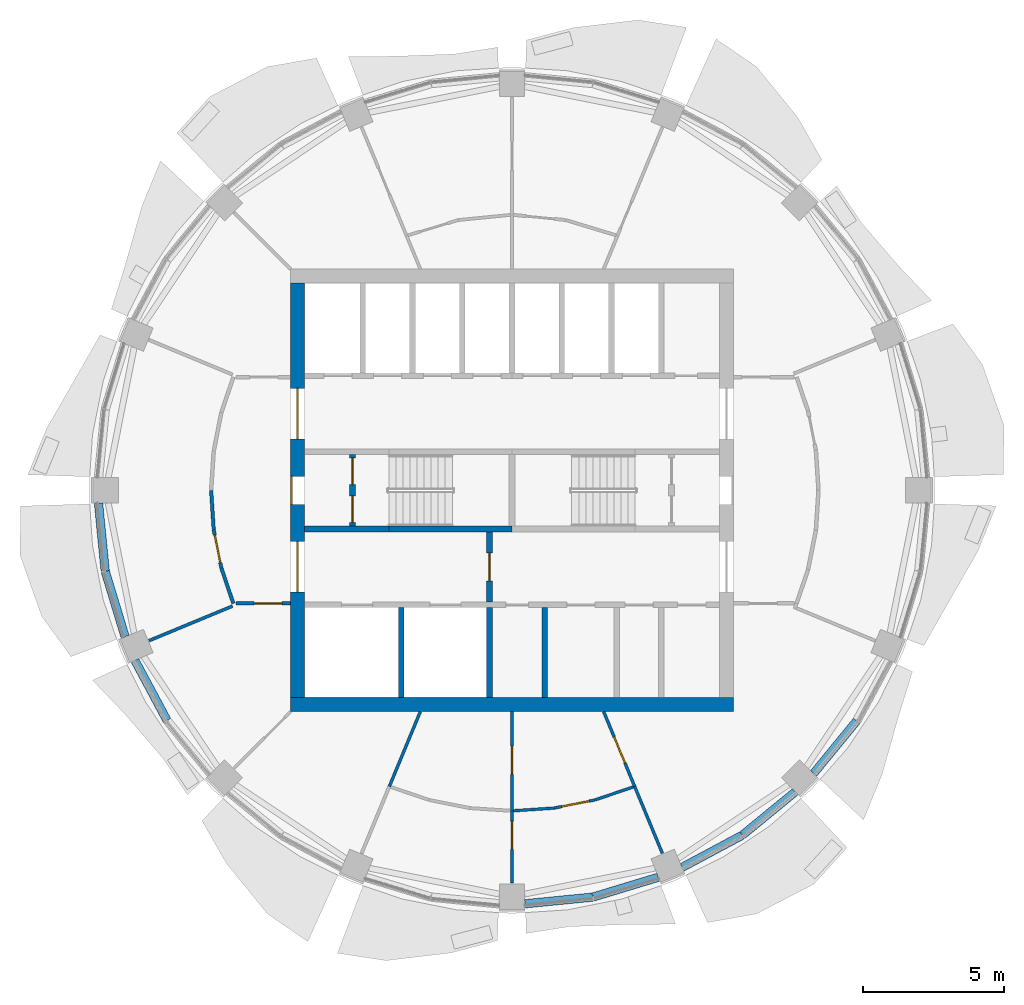
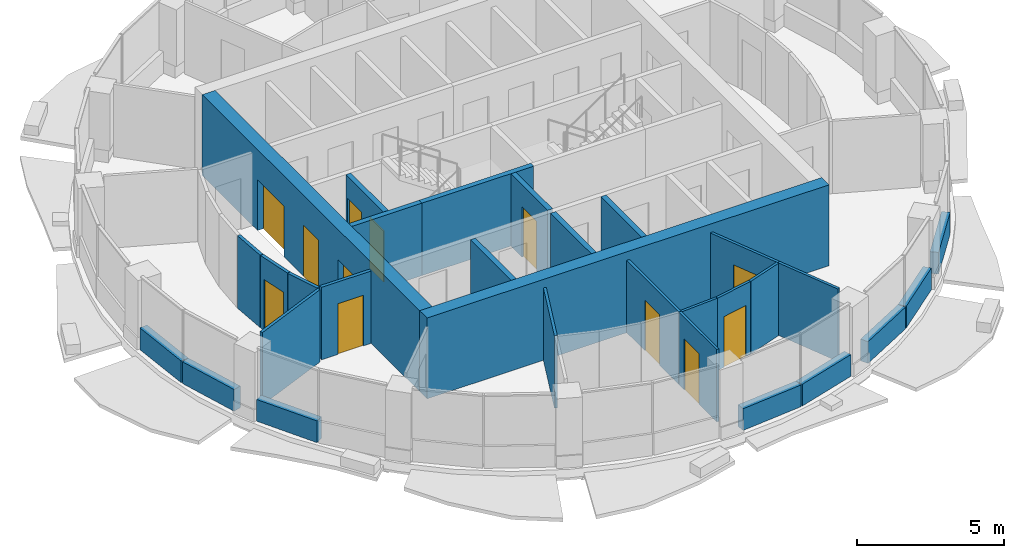
# One storey, part 7 of 14: 30 walls, 12 doors, 12 openings.
"""IFC4 building model written with IfcOpenShell, lengths in metres."""

from ifc_helpers import new_model, si_unit, direction, frame, frame_2d, origin, place, context, subcontext, project, spatial, rectangle, extrude, material, layer, layer_set, type_object, element, fill, save


model = new_model("IFC4")

# Units and contexts
model_context = context("Model", 3, precision=1e-05, world=origin(), true_north=direction((0.0, 1.0)))
body_context = subcontext(model_context, "Body", "Model", "MODEL_VIEW")
ifc_project = project(units=[si_unit("LENGTHUNIT", "METRE"), si_unit("AREAUNIT", "SQUARE_METRE"), si_unit("VOLUMEUNIT", "CUBIC_METRE"), si_unit("PLANEANGLEUNIT", "RADIAN"), si_unit("MASSUNIT", "GRAM", prefix="KILO")], contexts=[model_context])

# Site, building, storey
site_placement = place(None, origin())
site = spatial("IfcSite", under=ifc_project, at=site_placement, CompositionType="ELEMENT")
building_placement = place(site_placement, origin())
building = spatial("IfcBuilding", under=site, at=building_placement, Name="Polderwave Tower", CompositionType="ELEMENT")
storey_placement = place(building_placement, frame((0.0, 0.0, 227.85009765625)))
storey = spatial("IfcBuildingStorey", under=building, at=storey_placement, Name="L62", CompositionType="ELEMENT", Elevation=227.85009765625)

# Wall
ifc_material_1 = material(Name="Concrete C60/75", Category="concrete")
ifc_layer_1 = layer(ifc_material_1, 0.5)
ifc_layer_set_1 = layer_set([ifc_layer_1], Name="CORE WALL 500 C60/75")
wall_type_1 = type_object("IfcWallType", Name="CORE WALL 500 C60/75", PredefinedType="SHEAR", material=ifc_layer_set_1)
wall_1_placement = place(storey_placement, frame((-7.8740234375, -7.6240234375, 0.0), z_axis=(0.0, 0.0, 1.0), x_axis=(1.0, 0.0, 0.0)))
element("IfcWall", 1, at=wall_1_placement, inside=storey, type_object=wall_type_1, Name="ST-CORE-L62-S", PredefinedType="SHEAR", context=body_context, shape_type="SweptSolid", body=[
    extrude(rectangle(XDim=15.748046875, YDim=0.5, at=frame_2d((7.8740234375, 0.0))), origin(), (0.0, 0.0, 1.0), 3.349853515625),
])

# Wall, openings, doors
wall_2_placement = place(storey_placement, frame((-7.6240234375, -7.3740234375, 0.0), z_axis=(0.0, 0.0, 1.0), x_axis=(0.0, 1.0, 0.0)))
wall_2 = element("IfcWall", 2, at=wall_2_placement, inside=storey, type_object=wall_type_1, Name="ST-CORE-L62-W", PredefinedType="SHEAR", context=body_context, shape_type="SweptSolid", body=[
    extrude(rectangle(XDim=14.748046875, YDim=0.5, at=frame_2d((7.3740234375, 0.0))), origin(), (0.0, 0.0, 1.0), 3.349853515625),
])
opening_1_placement = place(wall_2_placement, frame((6.8740234375, 0.0, 0.0)))
opening_1 = element("IfcOpeningElement", 3, at=opening_1_placement, cuts=wall_2, Name="Opening L62-D20", PredefinedType="OPENING", context=body_context, shape_type="SweptSolid", body=[
    extrude(rectangle(XDim=1.0, YDim=2.10009765625, at=frame_2d((0.5, 1.050048828125))), frame((0.0, 0.260009765625, 0.0), z_axis=(0.0, -1.0, 0.0), x_axis=(1.0, 0.0, 0.0)), (0.0, 0.0, 1.0), 0.52001953125),
])
opening_2_placement = place(wall_2_placement, frame((3.74951171875, 0.0, 0.0)))
opening_2 = element("IfcOpeningElement", 4, at=opening_2_placement, cuts=wall_2, Name="Opening L62-D21", PredefinedType="OPENING", context=body_context, shape_type="SweptSolid", body=[
    extrude(rectangle(XDim=1.800048828125, YDim=2.10009765625, at=frame_2d((0.89990234375, 1.050048828125))), frame((0.0, 0.260009765625, 0.0), z_axis=(0.0, -1.0, 0.0), x_axis=(1.0, 0.0, 0.0)), (0.0, 0.0, 1.0), 0.52001953125),
])
opening_3_placement = place(wall_2_placement, frame((9.198486328125, 0.0, 0.0)))
opening_3 = element("IfcOpeningElement", 5, at=opening_3_placement, cuts=wall_2, Name="Opening L62-D22", PredefinedType="OPENING", context=body_context, shape_type="SweptSolid", body=[
    extrude(rectangle(XDim=1.800048828125, YDim=2.10009765625, at=frame_2d((0.89990234375, 1.050048828125))), frame((0.0, 0.260009765625, 0.0), z_axis=(0.0, -1.0, 0.0), x_axis=(1.0, 0.0, 0.0)), (0.0, 0.0, 1.0), 0.52001953125),
])
ifc_material_2 = material(Name="Steel fire door", Category="steel")
door_type_1 = type_object("IfcDoorType", Name="Lobby entry door pair 1800", OperationType="DOUBLE_DOOR_SINGLE_SWING", PredefinedType="DOOR", material=ifc_material_2)
door_1_placement = place(opening_2_placement, origin())
door_1 = element("IfcDoor", 6, at=door_1_placement, inside=storey, type_object=door_type_1, Name="Fire-fighting lobby entry door", OperationType="DOUBLE_DOOR_SINGLE_SWING", OverallHeight=2.10009765625, OverallWidth=1.800048828125, PredefinedType="DOOR", context=body_context, shape_type="SweptSolid", body=[
    extrude(rectangle(XDim=1.800048828125, YDim=2.10009765625, at=frame_2d((0.89990234375, 1.050048828125))), frame((0.0, 0.02490234375, 0.0), z_axis=(0.0, -1.0, 0.0), x_axis=(1.0, 0.0, 0.0)), (0.0, 0.0, 1.0), 0.050048828125),
])
fill(opening_2, door_1)
door_2_placement = place(opening_3_placement, origin())
door_2 = element("IfcDoor", 7, at=door_2_placement, inside=storey, type_object=door_type_1, Name="North lobby entry door", OperationType="DOUBLE_DOOR_SINGLE_SWING", OverallHeight=2.10009765625, OverallWidth=1.800048828125, PredefinedType="DOOR", context=body_context, shape_type="SweptSolid", body=[
    extrude(rectangle(XDim=1.800048828125, YDim=2.10009765625, at=frame_2d((0.89990234375, 1.050048828125))), frame((0.0, 0.02490234375, 0.0), z_axis=(0.0, -1.0, 0.0), x_axis=(1.0, 0.0, 0.0)), (0.0, 0.0, 1.0), 0.050048828125),
])
fill(opening_3, door_2)
door_type_2 = type_object("IfcDoorType", Name="Stair door 1000", OperationType="NOTDEFINED", PredefinedType="DOOR", material=ifc_material_2)
door_3_placement = place(opening_1_placement, origin())
door_3 = element("IfcDoor", 8, at=door_3_placement, inside=storey, type_object=door_type_2, Name="Stair A entry door", OperationType="SINGLE_SWING_RIGHT", OverallHeight=2.10009765625, OverallWidth=1.0, PredefinedType="DOOR", context=body_context, shape_type="SweptSolid", body=[
    extrude(rectangle(XDim=1.0, YDim=2.10009765625, at=frame_2d((0.5, 1.050048828125))), frame((0.0, 0.25, 0.0), z_axis=(0.0, -1.0, 0.0), x_axis=(1.0, 0.0, 0.0)), (0.0, 0.0, 1.0), 0.050048828125),
])
fill(opening_1, door_3)

# Walls
ifc_material_3 = material(Name="Concrete C50/60 (board-marked)", Category="concrete")
ifc_layer_2 = layer(ifc_material_3, 0.300048828125)
ifc_layer_set_2 = layer_set([ifc_layer_2], Name="Concrete spandrel upstand C50/60")
wall_type_2 = type_object("IfcWallType", Name="Concrete spandrel upstand C50/60", PredefinedType="SOLIDWALL", material=ifc_layer_set_2)
wall_3_placement = place(storey_placement, frame((-14.70458984375, -0.462890625, 0.0), z_axis=(0.0, 0.0, 1.0), x_axis=(0.09792937678, -0.99519336672, 0.0)))
element("IfcWall", 9, at=wall_3_placement, inside=storey, type_object=wall_type_2, Name="Spandrel L62 9a", PredefinedType="SOLIDWALL", context=body_context, shape_type="SweptSolid", body=[
    extrude(rectangle(XDim=2.41064453125, YDim=0.300048828125, at=frame_2d((1.205322265625, 0.0))), origin(), (0.0, 0.0, 1.0), 0.89990234375),
])
wall_4_placement = place(storey_placement, frame((-14.462646484375, -2.891357421875, 0.0), z_axis=(0.0, 0.0, 1.0), x_axis=(0.290412066449, -0.956901683383, 0.0)))
element("IfcWall", 10, at=wall_4_placement, inside=storey, type_object=wall_type_2, Name="Spandrel L62 9b", PredefinedType="SOLIDWALL", context=body_context, shape_type="SweptSolid", body=[
    extrude(rectangle(XDim=2.4111328125, YDim=0.300048828125, at=frame_2d((1.20556640625, 0.0))), origin(), (0.0, 0.0, 1.0), 0.89990234375),
])
wall_5_placement = place(storey_placement, frame((-13.406982421875, -6.05517578125, 0.0), z_axis=(0.0, 0.0, 1.0), x_axis=(0.471318859495, -0.881962886229, 0.0)))
element("IfcWall", 11, at=wall_5_placement, inside=storey, type_object=wall_type_2, Name="Spandrel L62 10a", PredefinedType="SOLIDWALL", context=body_context, shape_type="SweptSolid", body=[
    extrude(rectangle(XDim=2.41015625, YDim=0.300048828125, at=frame_2d((1.205078125, 0.0))), origin(), (0.0, 0.0, 1.0), 0.89990234375),
])
wall_6_placement = place(storey_placement, frame((0.462890625, -14.70458984375, 0.0), z_axis=(0.0, 0.0, 1.0), x_axis=(0.99519336672, 0.09792937678, 0.0)))
element("IfcWall", 12, at=wall_6_placement, inside=storey, type_object=wall_type_2, Name="Spandrel L62 13a", PredefinedType="SOLIDWALL", context=body_context, shape_type="SweptSolid", body=[
    extrude(rectangle(XDim=2.41064453125, YDim=0.300048828125, at=frame_2d((1.205322265625, 0.0))), origin(), (0.0, 0.0, 1.0), 0.89990234375),
])
wall_7_placement = place(storey_placement, frame((2.891357421875, -14.462646484375, 0.0), z_axis=(0.0, 0.0, 1.0), x_axis=(0.956901683383, 0.290412066449, 0.0)))
element("IfcWall", 13, at=wall_7_placement, inside=storey, type_object=wall_type_2, Name="Spandrel L62 13b", PredefinedType="SOLIDWALL", context=body_context, shape_type="SweptSolid", body=[
    extrude(rectangle(XDim=2.4111328125, YDim=0.300048828125, at=frame_2d((1.20556640625, 0.0))), origin(), (0.0, 0.0, 1.0), 0.89990234375),
])
wall_8_placement = place(storey_placement, frame((6.05517578125, -13.406982421875, 0.0), z_axis=(0.0, 0.0, 1.0), x_axis=(0.881962886229, 0.471318859495, 0.0)))
element("IfcWall", 14, at=wall_8_placement, inside=storey, type_object=wall_type_2, Name="Spandrel L62 14a", PredefinedType="SOLIDWALL", context=body_context, shape_type="SweptSolid", body=[
    extrude(rectangle(XDim=2.41015625, YDim=0.300048828125, at=frame_2d((1.205078125, 0.0))), origin(), (0.0, 0.0, 1.0), 0.89990234375),
])
for number, where, z_axis, x_axis, name in (
    (15, (8.20556640625, -12.25439453125, 0.0), (0.0, 0.0, 1.0), (0.773325372959, 0.634009359187, 0.0), "Spandrel L62 14b"),
    (16, (10.7255859375, -10.0703125, 0.0), (0.0, 0.0, 1.0), (0.634009359187, 0.773325372959, 0.0), "Spandrel L62 15a"),
):
    element("IfcWall", number, at=place(storey_placement, frame(where, z_axis=z_axis, x_axis=x_axis)), inside=storey, type_object=wall_type_2, Name=name, PredefinedType="SOLIDWALL", context=body_context, shape_type="SweptSolid", body=[
        extrude(rectangle(XDim=2.411376953125, YDim=0.300048828125, at=frame_2d((1.20556640625, 0.0))), origin(), (0.0, 0.0, 1.0), 0.89990234375),
    ])

# Wall, opening, door
ifc_material_4 = material(Name="Gypsum board partition")
ifc_layer_3 = layer(ifc_material_4, 0.199951171875)
ifc_layer_set_3 = layer_set([ifc_layer_3], Name="Core room partition 200")
wall_type_3 = type_object("IfcWallType", Name="Core room partition 200", PredefinedType="PARTITIONING", material=ifc_layer_set_3)
wall_9_placement = place(storey_placement, frame((-0.800048828125, -3.97412109375, 0.0), z_axis=(0.0, 0.0, 1.0), x_axis=(0.0, 1.0, 0.0)))
wall_9 = element("IfcWall", 17, at=wall_9_placement, inside=storey, type_object=wall_type_3, Name="L62 fire-fighting lobby wall", PredefinedType="PARTITIONING", context=body_context, shape_type="SweptSolid", body=[
    extrude(rectangle(XDim=2.4990234375, YDim=0.199951171875, at=frame_2d((1.24951171875, 0.0))), origin(), (0.0, 0.0, 1.0), 3.0),
])
opening_4_placement = place(wall_9_placement, frame((0.74951171875, 0.0, 0.0)))
opening_4 = element("IfcOpeningElement", 18, at=opening_4_placement, cuts=wall_9, Name="Opening L62-D14", PredefinedType="OPENING", context=body_context, shape_type="SweptSolid", body=[
    extrude(rectangle(XDim=1.0, YDim=2.10009765625, at=frame_2d((0.5, 1.050048828125))), frame((0.0, 0.10986328125, 0.0), z_axis=(0.0, -1.0, 0.0), x_axis=(1.0, 0.0, 0.0)), (0.0, 0.0, 1.0), 0.219970703125),
])
door_type_3 = type_object("IfcDoorType", Name="Lobby fire door 1000", OperationType="NOTDEFINED", PredefinedType="DOOR", material=ifc_material_2)
door_4_placement = place(opening_4_placement, frame((1.0, 0.0, 0.0), z_axis=(0.0, 0.0, 1.0), x_axis=(-1.0, 0.0, 0.0)))
door_4 = element("IfcDoor", 19, at=door_4_placement, inside=storey, type_object=door_type_3, Name="Fire-fighting lobby door", OperationType="SINGLE_SWING_LEFT", OverallHeight=2.10009765625, OverallWidth=1.0, PredefinedType="DOOR", context=body_context, shape_type="SweptSolid", body=[
    extrude(rectangle(XDim=1.0, YDim=2.10009765625, at=frame_2d((0.5, 1.050048828125))), frame((0.0, 0.02490234375, 0.0), z_axis=(0.0, -1.0, 0.0), x_axis=(1.0, 0.0, 0.0)), (0.0, 0.0, 1.0), 0.050048828125),
])
fill(opening_4, door_4)

# Wall
wall_10_placement = place(storey_placement, frame((1.170166015625, -7.3740234375, 0.0), z_axis=(0.0, 0.0, 1.0), x_axis=(0.0, 1.0, 0.0)))
element("IfcWall", 20, at=wall_10_placement, inside=storey, type_object=wall_type_3, Name="L62 room partition S1", PredefinedType="PARTITIONING", context=body_context, shape_type="SweptSolid", body=[
    extrude(rectangle(XDim=3.199951171875, YDim=0.199951171875, at=frame_2d((1.60009765625, 0.0))), origin(), (0.0, 0.0, 1.0), 3.0),
])

# Wall, openings, doors
wall_11_placement = place(storey_placement, frame((-5.674072265625, -1.27490234375, 0.0), z_axis=(0.0, 0.0, 1.0), x_axis=(0.0, 1.0, 0.0)))
wall_11 = element("IfcWall", 21, at=wall_11_placement, inside=storey, type_object=wall_type_3, Name="L62 smoke lobby wall A", PredefinedType="PARTITIONING", context=body_context, shape_type="SweptSolid", body=[
    extrude(rectangle(XDim=2.5498046875, YDim=0.199951171875, at=frame_2d((1.27490234375, 0.0))), origin(), (0.0, 0.0, 1.0), 3.0),
])
opening_5_placement = place(wall_11_placement, frame((0.125, 0.0, 0.0)))
opening_5 = element("IfcOpeningElement", 22, at=opening_5_placement, cuts=wall_11, Name="Opening L62-D10", PredefinedType="OPENING", context=body_context, shape_type="SweptSolid", body=[
    extrude(rectangle(XDim=0.949951171875, YDim=2.10009765625, at=frame_2d((0.47509765625, 1.050048828125))), frame((0.0, 0.10986328125, 0.0), z_axis=(0.0, -1.0, 0.0), x_axis=(1.0, 0.0, 0.0)), (0.0, 0.0, 1.0), 0.219970703125),
])
opening_6_placement = place(wall_11_placement, frame((1.47509765625, 0.0, 0.0)))
opening_6 = element("IfcOpeningElement", 23, at=opening_6_placement, cuts=wall_11, Name="Opening L62-D11", PredefinedType="OPENING", context=body_context, shape_type="SweptSolid", body=[
    extrude(rectangle(XDim=0.949951171875, YDim=2.10009765625, at=frame_2d((0.47509765625, 1.050048828125))), frame((0.0, 0.10986328125, 0.0), z_axis=(0.0, -1.0, 0.0), x_axis=(1.0, 0.0, 0.0)), (0.0, 0.0, 1.0), 0.219970703125),
])
door_type_4 = type_object("IfcDoorType", Name="Smoke lobby door 950", OperationType="NOTDEFINED", PredefinedType="DOOR", material=ifc_material_2)
door_5_placement = place(opening_5_placement, origin())
door_5 = element("IfcDoor", 24, at=door_5_placement, inside=storey, type_object=door_type_4, Name="Stair A smoke lobby inner door", OperationType="SINGLE_SWING_LEFT", OverallHeight=2.10009765625, OverallWidth=0.949951171875, PredefinedType="DOOR", context=body_context, shape_type="SweptSolid", body=[
    extrude(rectangle(XDim=0.949951171875, YDim=2.10009765625, at=frame_2d((0.47509765625, 1.050048828125))), frame((0.0, 0.02490234375, 0.0), z_axis=(0.0, -1.0, 0.0), x_axis=(1.0, 0.0, 0.0)), (0.0, 0.0, 1.0), 0.050048828125),
])
fill(opening_5, door_5)
door_6_placement = place(opening_6_placement, origin())
door_6 = element("IfcDoor", 25, at=door_6_placement, inside=storey, type_object=door_type_4, Name="Stair A smoke lobby inner door", OperationType="SINGLE_SWING_RIGHT", OverallHeight=2.10009765625, OverallWidth=0.949951171875, PredefinedType="DOOR", context=body_context, shape_type="SweptSolid", body=[
    extrude(rectangle(XDim=0.949951171875, YDim=2.10009765625, at=frame_2d((0.47509765625, 1.050048828125))), frame((0.0, 0.02490234375, 0.0), z_axis=(0.0, -1.0, 0.0), x_axis=(1.0, 0.0, 0.0)), (0.0, 0.0, 1.0), 0.050048828125),
])
fill(opening_6, door_6)

# Walls
ifc_material_5 = material(Name="Concrete C50/60", Category="concrete")
ifc_layer_4 = layer(ifc_material_5, 0.199951171875)
ifc_layer_set_4 = layer_set([ifc_layer_4], Name="Core web wall 200")
wall_type_4 = type_object("IfcWallType", Name="Core web wall 200", PredefinedType="SHEAR", material=ifc_layer_set_4)
wall_12_placement = place(storey_placement, frame((-7.3740234375, -1.375, 0.0), z_axis=(0.0, 0.0, 1.0), x_axis=(1.0, 0.0, 0.0)))
element("IfcWall", 26, at=wall_12_placement, inside=storey, type_object=wall_type_4, Name="L62 south stair wall 1", PredefinedType="SHEAR", context=body_context, shape_type="SweptSolid", body=[
    extrude(rectangle(XDim=3.0, YDim=0.199951171875, at=frame_2d((1.5, 0.0))), origin(), (0.0, 0.0, 1.0), 3.0),
])
wall_13_placement = place(storey_placement, frame((-4.3740234375, -1.375, 0.0), z_axis=(0.0, 0.0, 1.0), x_axis=(1.0, 0.0, 0.0)))
element("IfcWall", 27, at=wall_13_placement, inside=storey, type_object=wall_type_4, Name="L62 south stair wall 2", PredefinedType="SHEAR", context=body_context, shape_type="SweptSolid", body=[
    extrude(rectangle(XDim=4.3740234375, YDim=0.199951171875, at=frame_2d((2.18701171875, 0.0))), origin(), (0.0, 0.0, 1.0), 3.0),
])
ifc_material_6 = material(Name="Fire-resisting board on steel studs", Category="steel")
ifc_layer_5 = layer(ifc_material_6, 0.125)
ifc_layer_set_5 = layer_set([ifc_layer_5], Name="Corridor wall 125 mm EI 60")
wall_type_5 = type_object("IfcWallType", Name="Corridor wall 125 mm EI 60", PredefinedType="PARTITIONING", material=ifc_layer_set_5)
wall_14_placement = place(storey_placement, frame((-10.60888671875, -1.392578125, 0.0), z_axis=(0.0, 0.0, 1.0), x_axis=(-0.065272849091, 0.997867453709, 0.0)))
element("IfcWall", 28, at=wall_14_placement, inside=storey, type_object=wall_type_5, Name="IN-L62-W011", PredefinedType="PARTITIONING", context=body_context, shape_type="SweptSolid", body=[
    extrude(rectangle(XDim=1.391357421875, YDim=0.125, at=frame_2d((0.69580078125, 0.0))), origin(), (0.0, 0.0, 1.0), 3.0),
])

# Wall, opening, door
wall_15_placement = place(storey_placement, frame((-10.336181640625, -2.765380859375, 0.0), z_axis=(0.0, 0.0, 1.0), x_axis=(-0.195103801462, 0.980782599078, 0.0)))
wall_15 = element("IfcWall", 29, at=wall_15_placement, inside=storey, type_object=wall_type_5, Name="IN-L62-W013", PredefinedType="PARTITIONING", context=body_context, shape_type="SweptSolid", body=[
    extrude(rectangle(XDim=1.3916015625, YDim=0.125, at=frame_2d((0.69580078125, 0.0))), origin(), (0.0, 0.0, 1.0), 3.0),
])
opening_7_placement = place(wall_15_placement, frame((0.199951171875, 0.0, 0.0)))
opening_7 = element("IfcOpeningElement", 30, at=opening_7_placement, cuts=wall_15, Name="Opening L62-D54", PredefinedType="OPENING", context=body_context, shape_type="SweptSolid", body=[
    extrude(rectangle(XDim=1.0, YDim=2.10009765625, at=frame_2d((0.5, 1.050048828125))), frame((0.0, 0.072509765625, 0.0), z_axis=(0.0, -1.0, 0.0), x_axis=(1.0, 0.0, 0.0)), (0.0, 0.0, 1.0), 0.14501953125),
])
ifc_material_7 = material(Name="Timber fire door leaf", Category="wood")
door_type_5 = type_object("IfcDoorType", Name="Fire door FD30S 1000 x 2100", OperationType="NOTDEFINED", PredefinedType="DOOR", material=ifc_material_7)
door_7_placement = place(opening_7_placement, origin())
door_7 = element("IfcDoor", 31, at=door_7_placement, inside=storey, type_object=door_type_5, Name="Door L62-D54", OperationType="SINGLE_SWING_RIGHT", OverallHeight=2.10009765625, OverallWidth=1.0, PredefinedType="DOOR", context=body_context, shape_type="SweptSolid", body=[
    extrude(rectangle(XDim=1.0, YDim=2.10009765625, at=frame_2d((0.5, 1.050048828125))), frame((0.0, 0.02490234375, 0.0), z_axis=(0.0, -1.0, 0.0), x_axis=(1.0, 0.0, 0.0)), (0.0, 0.0, 1.0), 0.050048828125),
])
fill(opening_7, door_7)

# Wall
wall_16_placement = place(storey_placement, frame((-9.9091796875, -4.0244140625, 0.0), z_axis=(0.0, 0.0, 1.0), x_axis=(-0.321488657109, 0.946913429702, 0.0)))
element("IfcWall", 32, at=wall_16_placement, inside=storey, type_object=wall_type_5, Name="IN-L62-W015", PredefinedType="PARTITIONING", context=body_context, shape_type="SweptSolid", body=[
    extrude(rectangle(XDim=1.3212890625, YDim=0.125, at=frame_2d((0.66064453125, 0.0))), origin(), (0.0, 0.0, 1.0), 3.0),
])

# Wall, opening, door
wall_17_placement = place(storey_placement, frame((-7.8740234375, -4.0244140625, 0.0), z_axis=(0.0, 0.0, 1.0), x_axis=(-1.0, 0.0, 0.0)))
wall_17 = element("IfcWall", 33, at=wall_17_placement, inside=storey, type_object=wall_type_5, Name="IN-L62-W016", PredefinedType="PARTITIONING", context=body_context, shape_type="SweptSolid", body=[
    extrude(rectangle(XDim=1.947998046875, YDim=0.125, at=frame_2d((0.97412109375, 0.0))), origin(), (0.0, 0.0, 1.0), 3.0),
])
opening_8_placement = place(wall_17_placement, frame((0.300048828125, 0.0, 0.0)))
opening_8 = element("IfcOpeningElement", 34, at=opening_8_placement, cuts=wall_17, Name="Opening L62-D55", PredefinedType="OPENING", context=body_context, shape_type="SweptSolid", body=[
    extrude(rectangle(XDim=1.0, YDim=2.10009765625, at=frame_2d((0.5, 1.050048828125))), frame((0.0, 0.072509765625, 0.0), z_axis=(0.0, -1.0, 0.0), x_axis=(1.0, 0.0, 0.0)), (0.0, 0.0, 1.0), 0.14501953125),
])
door_8_placement = place(opening_8_placement, origin())
door_8 = element("IfcDoor", 35, at=door_8_placement, inside=storey, type_object=door_type_5, Name="Door L62-D55", OperationType="SINGLE_SWING_LEFT", OverallHeight=2.10009765625, OverallWidth=1.0, PredefinedType="DOOR", context=body_context, shape_type="SweptSolid", body=[
    extrude(rectangle(XDim=1.0, YDim=2.10009765625, at=frame_2d((0.5, 1.050048828125))), frame((0.0, 0.02490234375, 0.0), z_axis=(0.0, -1.0, 0.0), x_axis=(1.0, 0.0, 0.0)), (0.0, 0.0, 1.0), 0.050048828125),
])
fill(opening_8, door_8)

ifc_material_8 = material(Name="Plasterboard on steel studs", Category="steel")
ifc_layer_6 = layer(ifc_material_8, 0.10009765625)
ifc_layer_set_6 = layer_set([ifc_layer_6], Name="Partition 100 mm plasterboard on steel studs")
wall_type_6 = type_object("IfcWallType", Name="Partition 100 mm plasterboard on steel studs", PredefinedType="PARTITIONING", material=ifc_layer_set_6)
wall_18_placement = place(storey_placement, frame((0.0, -13.969970703125, 0.0), z_axis=(0.0, 0.0, 1.0), x_axis=(0.0, 1.0, 0.0)))
wall_18 = element("IfcWall", 36, at=wall_18_placement, inside=storey, type_object=wall_type_6, Name="IN-L62-W040", PredefinedType="PARTITIONING", context=body_context, shape_type="SweptSolid", body=[
    extrude(rectangle(XDim=2.570068359375, YDim=0.10009765625, at=frame_2d((1.28515625, 0.0))), origin(), (0.0, 0.0, 1.0), 3.0),
])
opening_9_placement = place(wall_18_placement, frame((1.199951171875, 0.0, 0.0)))
opening_9 = element("IfcOpeningElement", 37, at=opening_9_placement, cuts=wall_18, Name="Opening L62-D63", PredefinedType="OPENING", context=body_context, shape_type="SweptSolid", body=[
    extrude(rectangle(XDim=1.0, YDim=2.10009765625, at=frame_2d((0.5, 1.050048828125))), frame((0.0, 0.06005859375, 0.0), z_axis=(0.0, -1.0, 0.0), x_axis=(1.0, 0.0, 0.0)), (0.0, 0.0, 1.0), 0.1201171875),
])
ifc_material_9 = material(Name="Timber veneer door leaf", Category="wood")
door_type_6 = type_object("IfcDoorType", Name="Single door 1000 x 2100", OperationType="NOTDEFINED", PredefinedType="DOOR", material=ifc_material_9)
door_9_placement = place(opening_9_placement, origin())
door_9 = element("IfcDoor", 38, at=door_9_placement, inside=storey, type_object=door_type_6, Name="Door L62-D63", OperationType="SINGLE_SWING_RIGHT", OverallHeight=2.10009765625, OverallWidth=1.0, PredefinedType="DOOR", context=body_context, shape_type="SweptSolid", body=[
    extrude(rectangle(XDim=1.0, YDim=2.10009765625, at=frame_2d((0.5, 1.050048828125))), frame((0.0, 0.02490234375, 0.0), z_axis=(0.0, -1.0, 0.0), x_axis=(1.0, 0.0, 0.0)), (0.0, 0.0, 1.0), 0.050048828125),
])
fill(opening_9, door_9)

# Wall
wall_19_placement = place(storey_placement, frame((1.484619140625, -11.302734375, 0.0), z_axis=(0.0, 0.0, 1.0), x_axis=(-0.997865154475, -0.065307989433, 0.0)))
element("IfcWall", 39, at=wall_19_placement, inside=storey, type_object=wall_type_6, Name="IN-L62-W041", PredefinedType="PARTITIONING", context=body_context, shape_type="SweptSolid", body=[
    extrude(rectangle(XDim=1.431884765625, YDim=0.10009765625, at=frame_2d((0.7158203125, 0.0))), origin(), (0.0, 0.0, 1.0), 3.0),
])

# Wall, opening, door
wall_20_placement = place(storey_placement, frame((2.947265625, -11.01220703125, 0.0), z_axis=(0.0, 0.0, 1.0), x_axis=(-0.9807636688, -0.195198939448, 0.0)))
wall_20 = element("IfcWall", 40, at=wall_20_placement, inside=storey, type_object=wall_type_6, Name="IN-L62-W042", PredefinedType="PARTITIONING", context=body_context, shape_type="SweptSolid", body=[
    extrude(rectangle(XDim=1.484619140625, YDim=0.10009765625, at=frame_2d((0.7421875, 0.0))), origin(), (0.0, 0.0, 1.0), 3.0),
])
opening_10_placement = place(wall_20_placement, frame((0.199951171875, 0.0, 0.0)))
opening_10 = element("IfcOpeningElement", 41, at=opening_10_placement, cuts=wall_20, Name="Opening L62-D64", PredefinedType="OPENING", context=body_context, shape_type="SweptSolid", body=[
    extrude(rectangle(XDim=1.0, YDim=2.10009765625, at=frame_2d((0.5, 1.050048828125))), frame((0.0, 0.06005859375, 0.0), z_axis=(0.0, -1.0, 0.0), x_axis=(1.0, 0.0, 0.0)), (0.0, 0.0, 1.0), 0.1201171875),
])
door_10_placement = place(opening_10_placement, origin())
door_10 = element("IfcDoor", 42, at=door_10_placement, inside=storey, type_object=door_type_6, Name="Door L62-D64", OperationType="SINGLE_SWING_LEFT", OverallHeight=2.10009765625, OverallWidth=1.0, PredefinedType="DOOR", context=body_context, shape_type="SweptSolid", body=[
    extrude(rectangle(XDim=1.0, YDim=2.10009765625, at=frame_2d((0.5, 1.050048828125))), frame((0.0, 0.02490234375, 0.0), z_axis=(0.0, -1.0, 0.0), x_axis=(1.0, 0.0, 0.0)), (0.0, 0.0, 1.0), 0.050048828125),
])
fill(opening_10, door_10)

# Walls
wall_21_placement = place(storey_placement, frame((4.309814453125, -10.55029296875, 0.0), z_axis=(0.0, 0.0, 1.0), x_axis=(-0.946964806335, -0.321337292519, 0.0)))
element("IfcWall", 43, at=wall_21_placement, inside=storey, type_object=wall_type_6, Name="IN-L62-W043", PredefinedType="PARTITIONING", context=body_context, shape_type="SweptSolid", body=[
    extrude(rectangle(XDim=1.43212890625, YDim=0.10009765625, at=frame_2d((0.716064453125, 0.0))), origin(), (0.0, 0.0, 1.0), 3.0),
])
ifc_material_10 = material(Name="Moisture-resistant board on steel studs, tiled", Category="steel")
ifc_layer_7 = layer(ifc_material_10, 0.10498046875)
ifc_layer_set_7 = layer_set([ifc_layer_7], Name="Partition 105 mm wet room board and tile")
wall_type_7 = type_object("IfcWallType", Name="Partition 105 mm wet room board and tile", PredefinedType="PARTITIONING", material=ifc_layer_set_7)
wall_22_placement = place(storey_placement, frame((-4.362548828125, -10.5322265625, 0.0), z_axis=(0.0, 0.0, 1.0), x_axis=(0.382686527355, 0.923878250519, 0.0)))
element("IfcWall", 44, at=wall_22_placement, inside=storey, type_object=wall_type_7, Name="IN-L62-W037", PredefinedType="PARTITIONING", context=body_context, shape_type="SweptSolid", body=[
    extrude(rectangle(XDim=2.877197265625, YDim=0.10498046875, at=frame_2d((1.4384765625, 0.0))), origin(), (0.0, 0.0, 1.0), 3.0),
])

# Wall, opening, door
wall_23_placement = place(storey_placement, frame((0.0, -11.39990234375, 0.0), z_axis=(0.0, 0.0, 1.0), x_axis=(0.0, 1.0, 0.0)))
wall_23 = element("IfcWall", 45, at=wall_23_placement, inside=storey, type_object=wall_type_7, Name="IN-L62-W038", PredefinedType="PARTITIONING", context=body_context, shape_type="SweptSolid", body=[
    extrude(rectangle(XDim=3.52587890625, YDim=0.10498046875, at=frame_2d((1.762939453125, 0.0))), origin(), (0.0, 0.0, 1.0), 3.0),
])
opening_11_placement = place(wall_23_placement, frame((1.300048828125, 0.0, 0.0)))
opening_11 = element("IfcOpeningElement", 46, at=opening_11_placement, cuts=wall_23, Name="Opening L62-D62", PredefinedType="OPENING", context=body_context, shape_type="SweptSolid", body=[
    extrude(rectangle(XDim=1.0, YDim=2.10009765625, at=frame_2d((0.5, 1.050048828125))), frame((0.0, 0.0625, 0.0), z_axis=(0.0, -1.0, 0.0), x_axis=(1.0, 0.0, 0.0)), (0.0, 0.0, 1.0), 0.125),
])
door_11_placement = place(opening_11_placement, origin())
door_11 = element("IfcDoor", 47, at=door_11_placement, inside=storey, type_object=door_type_6, Name="Door L62-D62", OperationType="SINGLE_SWING_RIGHT", OverallHeight=2.10009765625, OverallWidth=1.0, PredefinedType="DOOR", context=body_context, shape_type="SweptSolid", body=[
    extrude(rectangle(XDim=1.0, YDim=2.10009765625, at=frame_2d((0.5, 1.050048828125))), frame((0.0, 0.02490234375, 0.0), z_axis=(0.0, -1.0, 0.0), x_axis=(1.0, 0.0, 0.0)), (0.0, 0.0, 1.0), 0.050048828125),
])
fill(opening_11, door_11)

wall_24_placement = place(storey_placement, frame((4.362548828125, -10.5322265625, 0.0), z_axis=(0.0, 0.0, 1.0), x_axis=(-0.382686527355, 0.923878250519, 0.0)))
wall_24 = element("IfcWall", 48, at=wall_24_placement, inside=storey, type_object=wall_type_7, Name="IN-L62-W044", PredefinedType="PARTITIONING", context=body_context, shape_type="SweptSolid", body=[
    extrude(rectangle(XDim=2.877197265625, YDim=0.10498046875, at=frame_2d((1.4384765625, 0.0))), origin(), (0.0, 0.0, 1.0), 3.0),
])
opening_12_placement = place(wall_24_placement, frame((0.89990234375, 0.0, 0.0)))
opening_12 = element("IfcOpeningElement", 49, at=opening_12_placement, cuts=wall_24, Name="Opening L62-D65", PredefinedType="OPENING", context=body_context, shape_type="SweptSolid", body=[
    extrude(rectangle(XDim=1.0, YDim=2.10009765625, at=frame_2d((0.5, 1.050048828125))), frame((0.0, 0.0625, 0.0), z_axis=(0.0, -1.0, 0.0), x_axis=(1.0, 0.0, 0.0)), (0.0, 0.0, 1.0), 0.125),
])
door_12_placement = place(opening_12_placement, origin())
door_12 = element("IfcDoor", 50, at=door_12_placement, inside=storey, type_object=door_type_6, Name="Door L62-D65", OperationType="SINGLE_SWING_LEFT", OverallHeight=2.10009765625, OverallWidth=1.0, PredefinedType="DOOR", context=body_context, shape_type="SweptSolid", body=[
    extrude(rectangle(XDim=1.0, YDim=2.10009765625, at=frame_2d((0.5, 1.050048828125))), frame((0.0, 0.02490234375, 0.0), z_axis=(0.0, -1.0, 0.0), x_axis=(1.0, 0.0, 0.0)), (0.0, 0.0, 1.0), 0.050048828125),
])
fill(opening_12, door_12)

# Walls
wall_25_placement = place(storey_placement, frame((4.362548828125, -10.5322265625, 0.0), z_axis=(0.0, 0.0, 1.0), x_axis=(0.382746119312, -0.923853564236, 0.0)))
element("IfcWall", 51, at=wall_25_placement, inside=storey, type_object=wall_type_7, Name="IN-L62-W045", PredefinedType="PARTITIONING", context=body_context, shape_type="SweptSolid", body=[
    extrude(rectangle(XDim=2.570068359375, YDim=0.10498046875, at=frame_2d((1.28515625, 0.0))), origin(), (0.0, 0.0, 1.0), 3.0),
])
ifc_material_11 = material(Name="Acoustic double plasterboard on steel studs", Category="steel")
ifc_layer_8 = layer(ifc_material_11, 0.110107421875)
ifc_layer_set_8 = layer_set([ifc_layer_8], Name="Partition 110 mm acoustic double board")
wall_type_8 = type_object("IfcWallType", Name="Partition 110 mm acoustic double board", PredefinedType="PARTITIONING", material=ifc_layer_set_8)
wall_26_placement = place(storey_placement, frame((-9.939697265625, -4.1171875, 0.0), z_axis=(0.0, 0.0, 1.0), x_axis=(-0.923866716252, -0.382714372088, 0.0)))
element("IfcWall", 52, at=wall_26_placement, inside=storey, type_object=wall_type_8, Name="IN-L62-W032", PredefinedType="PARTITIONING", context=body_context, shape_type="SweptSolid", body=[
    extrude(rectangle(XDim=3.211181640625, YDim=0.110107421875, at=frame_2d((1.60546875, 0.0))), origin(), (0.0, 0.0, 1.0), 3.0),
])
ifc_material_12 = material(Name="Gypsum shaft wall system")
ifc_layer_9 = layer(ifc_material_12, 0.199951171875)
ifc_layer_set_9 = layer_set([ifc_layer_9], Name="Shaft wall 200")
wall_type_9 = type_object("IfcWallType", Name="Shaft wall 200", PredefinedType="PARTITIONING", material=ifc_layer_set_9)
for number, where, z_axis, x_axis, name in (
    (53, (-3.93701171875, -7.3740234375, 0.0), (0.0, 0.0, 1.0), (0.0, 1.0, 0.0), "L62 fire-fighting shaft wall 1"),
    (54, (-0.800048828125, -7.3740234375, 0.0), (0.0, 0.0, 1.0), (0.0, 1.0, 0.0), "L62 fire-fighting shaft wall 2"),
):
    element("IfcWall", number, at=place(storey_placement, frame(where, z_axis=z_axis, x_axis=x_axis)), inside=storey, type_object=wall_type_9, Name=name, PredefinedType="PARTITIONING", context=body_context, shape_type="SweptSolid", body=[
        extrude(rectangle(XDim=3.199951171875, YDim=0.199951171875, at=frame_2d((1.60009765625, 0.0))), origin(), (0.0, 0.0, 1.0), 3.0),
    ])

save(model, "model.ifc")
